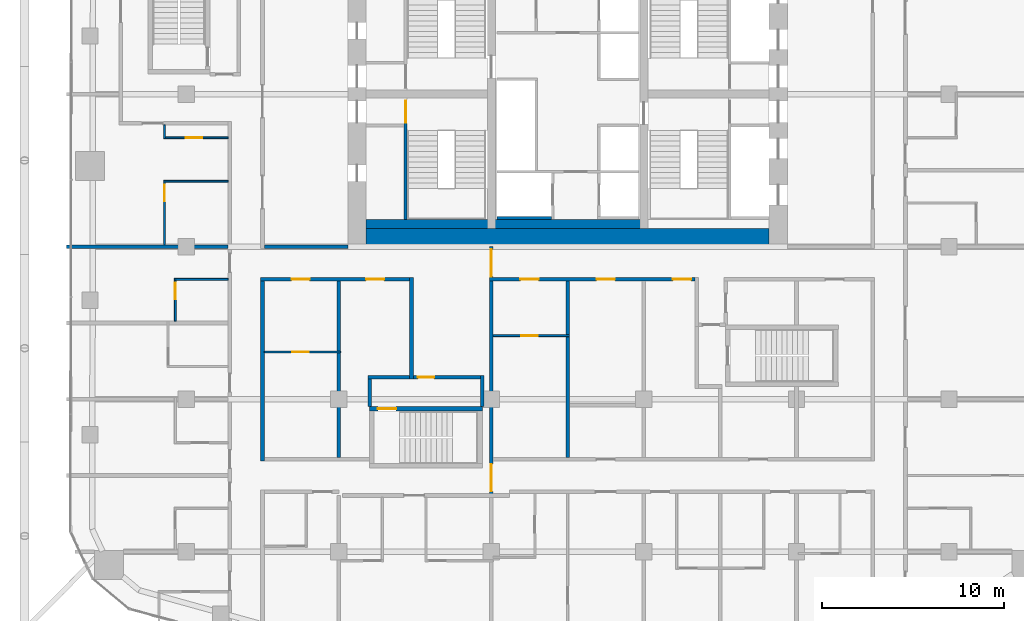
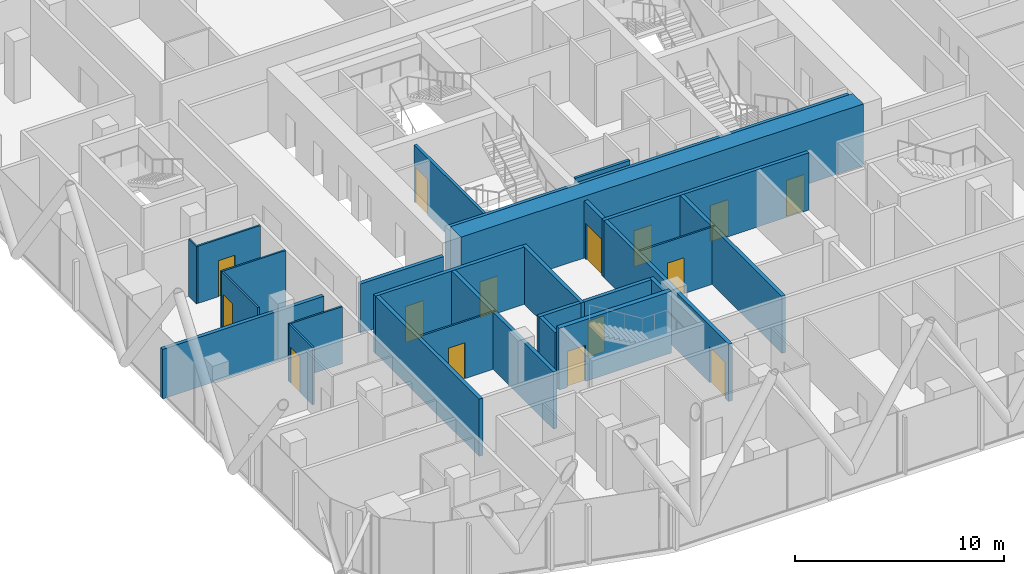
# One storey, part 25 of 33: 26 walls, 15 doors, 15 openings.
"""IFC4 building model written with IfcOpenShell, lengths in metres."""

from ifc_helpers import new_model, si_unit, direction, frame, frame_2d, origin, place, context, subcontext, project, spatial, rectangle, extrude, material, layer, layer_set, type_object, element, fill, save


model = new_model("IFC4")

# Units and contexts
model_context = context("Model", 3, precision=1e-05, world=origin(), true_north=direction((0.0, 1.0)))
body_context = subcontext(model_context, "Body", "Model", "MODEL_VIEW")
ifc_project = project(units=[si_unit("LENGTHUNIT", "METRE"), si_unit("AREAUNIT", "SQUARE_METRE"), si_unit("VOLUMEUNIT", "CUBIC_METRE"), si_unit("PLANEANGLEUNIT", "RADIAN"), si_unit("MASSUNIT", "GRAM", prefix="KILO")], contexts=[model_context])

# Site, building, storey
site_placement = place(None, origin())
site = spatial("IfcSite", under=ifc_project, at=site_placement, CompositionType="ELEMENT")
building_placement = place(site_placement, origin())
building = spatial("IfcBuilding", under=site, at=building_placement, Name="Marenta Gate Hotel Tower", CompositionType="ELEMENT")
storey_placement = place(building_placement, frame((0.0, 0.0, 151.699951171875)))
storey = spatial("IfcBuildingStorey", under=building, at=storey_placement, Name="L35", CompositionType="ELEMENT", Elevation=151.699951171875)

# Wall, openings, doors
ifc_material_1 = material(Name="Concrete blockwork", Category="masonry")
ifc_layer_1 = layer(ifc_material_1, 0.199951171875)
ifc_layer_set_1 = layer_set([ifc_layer_1], Name="Concrete blockwork")
wall_type_1 = type_object("IfcWallType", Name="Compartment wall 200 REI 180", PredefinedType="PARTITIONING", material=ifc_layer_set_1)
wall_1_placement = place(storey_placement, frame((-4.199951171875, -13.800048828125, 0.0), z_axis=(0.0, 0.0, 1.0), x_axis=(0.0, 1.0, 0.0)))
wall_1 = element("IfcWall", 1, at=wall_1_placement, inside=storey, type_object=wall_type_1, Name="L35-PTN-W075", PredefinedType="PARTITIONING", context=body_context, shape_type="SweptSolid", body=[
    extrude(rectangle(XDim=13.800048828125, YDim=0.199951171875, at=frame_2d((6.89990234375, 0.0))), origin(), (0.0, 0.0, 1.0), 3.340087890625),
])
opening_1_placement = place(wall_1_placement, frame((12.14990234375, 0.0, 0.0)))
opening_1 = element("IfcOpeningElement", 2, at=opening_1_placement, cuts=wall_1, Name="Opening G13-FD2", PredefinedType="OPENING", context=body_context, shape_type="SweptSolid", body=[
    extrude(rectangle(XDim=1.5, YDim=2.10009765625, at=frame_2d((0.75, 1.050048828125))), frame((0.0, 0.10009765625, 0.0), z_axis=(0.0, -1.0, 0.0), x_axis=(1.0, 0.0, 0.0)), (0.0, 0.0, 1.0), 0.199951171875),
])
opening_2_placement = place(wall_1_placement, frame((0.324951171875, 0.0, 0.0)))
opening_2 = element("IfcOpeningElement", 3, at=opening_2_placement, cuts=wall_1, Name="Opening G13-FD3", PredefinedType="OPENING", context=body_context, shape_type="SweptSolid", body=[
    extrude(rectangle(XDim=1.5, YDim=2.10009765625, at=frame_2d((0.75, 1.050048828125))), frame((0.0, 0.10009765625, 0.0), z_axis=(0.0, -1.0, 0.0), x_axis=(1.0, 0.0, 0.0)), (0.0, 0.0, 1.0), 0.199951171875),
])
ifc_material_2 = material(Name="Hollow steel door set", Category="steel")
door_type_1 = type_object("IfcDoorType", Name="Compartment fire door 1500x2100 EI 60", OperationType="DOUBLE_DOOR_DOUBLE_SWING", PredefinedType="DOOR", material=ifc_material_2)
door_1_placement = place(opening_1_placement, origin())
door_1 = element("IfcDoor", 4, at=door_1_placement, inside=storey, type_object=door_type_1, Name="L35-PD-FD02", OperationType="DOUBLE_DOOR_DOUBLE_SWING", OverallHeight=2.10009765625, OverallWidth=1.5, PredefinedType="DOOR", context=body_context, shape_type="SweptSolid", body=[
    extrude(rectangle(XDim=1.5, YDim=2.10009765625, at=frame_2d((0.75, 1.050048828125))), frame((0.0, 0.02490234375, 0.0), z_axis=(0.0, -1.0, 0.0), x_axis=(1.0, 0.0, 0.0)), (0.0, 0.0, 1.0), 0.050048828125),
])
fill(opening_1, door_1)
door_2_placement = place(opening_2_placement, origin())
door_2 = element("IfcDoor", 5, at=door_2_placement, inside=storey, type_object=door_type_1, Name="L35-PD-FD03", OperationType="DOUBLE_DOOR_DOUBLE_SWING", OverallHeight=2.10009765625, OverallWidth=1.5, PredefinedType="DOOR", context=body_context, shape_type="SweptSolid", body=[
    extrude(rectangle(XDim=1.5, YDim=2.10009765625, at=frame_2d((0.75, 1.050048828125))), frame((0.0, 0.02490234375, 0.0), z_axis=(0.0, -1.0, 0.0), x_axis=(1.0, 0.0, 0.0)), (0.0, 0.0, 1.0), 0.050048828125),
])
fill(opening_2, door_2)

# Walls
ifc_material_3 = material(Name="Concrete blockwork", Category="masonry")
ifc_layer_2 = layer(ifc_material_3, 0.199951171875)
ifc_layer_set_2 = layer_set([ifc_layer_2], Name="Concrete blockwork")
wall_type_2 = type_object("IfcWallType", Name="Core boundary wall 200 REI 180", PredefinedType="PARTITIONING", material=ifc_layer_set_2)
wall_2_placement = place(storey_placement, frame((-16.699951171875, 0.0, 0.0), z_axis=(0.0, 0.0, 1.0), x_axis=(1.0, 0.0, 0.0)))
element("IfcWall", 6, at=wall_2_placement, inside=storey, type_object=wall_type_2, Name="L35-CP-EW-WS", PredefinedType="PARTITIONING", context=body_context, shape_type="SweptSolid", body=[
    extrude(rectangle(XDim=4.599853515625, YDim=0.199951171875, at=frame_2d((2.2998046875, 0.0))), origin(), (0.0, 0.0, 1.0), 2.89013671875),
])
ifc_material_4 = material(Name="Concrete C40", Category="concrete")
ifc_layer_3 = layer(ifc_material_4, 0.5)
ifc_layer_set_3 = layer_set([ifc_layer_3], Name="Concrete C40")
wall_type_3 = type_object("IfcWallType", Name="Core lining wall 500 REI 180", PredefinedType="PARTITIONING", material=ifc_layer_set_3)
wall_3_placement = place(storey_placement, frame((-11.10009765625, 1.25, 0.0), z_axis=(0.0, 0.0, 1.0), x_axis=(1.0, 0.0, 0.0)))
element("IfcWall", 7, at=wall_3_placement, inside=storey, type_object=wall_type_3, Name="L35-CP-LN-S", PredefinedType="PARTITIONING", context=body_context, shape_type="SweptSolid", body=[
    extrude(rectangle(XDim=22.2001953125, YDim=0.5, at=frame_2d((11.10009765625, 0.0))), origin(), (0.0, 0.0, 1.0), 3.340087890625),
])
ifc_material_5 = material(Name="Concrete C40", Category="concrete")
ifc_layer_4 = layer(ifc_material_5, 0.14990234375)
ifc_layer_set_4 = layer_set([ifc_layer_4], Name="Concrete C40")
wall_type_4 = type_object("IfcWallType", Name="Core shaft wall 150 REI 180", PredefinedType="SHEAR", material=ifc_layer_set_4)
wall_4_placement = place(storey_placement, frame((-3.89990234375, 1.574951171875, 0.0), z_axis=(0.0, 0.0, 1.0), x_axis=(1.0, 0.0, 0.0)))
element("IfcWall", 8, at=wall_4_placement, inside=storey, type_object=wall_type_4, Name="L35-SHF-CW-W-ffs", PredefinedType="SHEAR", context=body_context, shape_type="SweptSolid", body=[
    extrude(rectangle(XDim=3.0, YDim=0.14990234375, at=frame_2d((1.5, 0.0))), origin(), (0.0, 0.0, 1.0), 3.60009765625),
])

# Wall, opening, door
ifc_material_6 = material(Name="Concrete C40", Category="concrete")
ifc_layer_5 = layer(ifc_material_6, 0.14990234375)
ifc_layer_set_5 = layer_set([ifc_layer_5], Name="Concrete C40")
wall_type_5 = type_object("IfcWallType", Name="Core stair enclosure wall 150 REI 180", PredefinedType="SHEAR", material=ifc_layer_set_5)
wall_5_placement = place(storey_placement, frame((-8.925048828125, 1.5, 0.0), z_axis=(0.0, 0.0, 1.0), x_axis=(0.0, 1.0, 0.0)))
wall_5 = element("IfcWall", 9, at=wall_5_placement, inside=storey, type_object=wall_type_5, Name="L35-SHF-SW-WS-3", PredefinedType="SHEAR", context=body_context, shape_type="SweptSolid", body=[
    extrude(rectangle(XDim=6.60009765625, YDim=0.14990234375, at=frame_2d((3.300048828125, 0.0))), origin(), (0.0, 0.0, 1.0), 3.340087890625),
])
opening_3_placement = place(wall_5_placement, frame((5.324951171875, 0.0, 0.0)))
opening_3 = element("IfcOpeningElement", 10, at=opening_3_placement, cuts=wall_5, Name="Opening SD-WS", PredefinedType="OPENING", context=body_context, shape_type="SweptSolid", body=[
    extrude(rectangle(XDim=1.199951171875, YDim=2.10009765625, at=frame_2d((0.60009765625, 1.050048828125))), frame((0.0, 0.074951171875, 0.0), z_axis=(0.0, -1.0, 0.0), x_axis=(1.0, 0.0, 0.0)), (0.0, 0.0, 1.0), 0.14990234375),
])
ifc_material_7 = material(Name="Steel", Category="steel")
door_type_2 = type_object("IfcDoorType", Name="Core stair door 1200x2100 FD60", OperationType="SINGLE_SWING_LEFT", PredefinedType="DOOR", material=ifc_material_7)
door_3_placement = place(opening_3_placement, origin())
door_3 = element("IfcDoor", 11, at=door_3_placement, inside=storey, type_object=door_type_2, Name="SD-WS", OperationType="SINGLE_SWING_LEFT", OverallHeight=2.10009765625, OverallWidth=1.199951171875, PredefinedType="DOOR", context=body_context, shape_type="SweptSolid", body=[
    extrude(rectangle(XDim=1.199951171875, YDim=2.10009765625, at=frame_2d((0.60009765625, 1.050048828125))), frame((0.0, 0.02490234375, 0.0), z_axis=(0.0, -1.0, 0.0), x_axis=(1.0, 0.0, 0.0)), (0.0, 0.0, 1.0), 0.050048828125),
])
fill(opening_3, door_3)

# Wall
ifc_material_8 = material(Name="Concrete C70", Category="concrete")
ifc_layer_6 = layer(ifc_material_8, 1.0)
ifc_layer_set_6 = layer_set([ifc_layer_6], Name="Concrete C70")
wall_type_6 = type_object("IfcWallType", Name="Core wall 1000 C70", PredefinedType="SHEAR", material=ifc_layer_set_6)
wall_6_placement = place(storey_placement, frame((-11.10009765625, 0.5, 0.0), z_axis=(0.0, 0.0, 1.0), x_axis=(1.0, 0.0, 0.0)))
element("IfcWall", 12, at=wall_6_placement, inside=storey, type_object=wall_type_6, Name="L35-CORE-S", PredefinedType="SHEAR", context=body_context, shape_type="SweptSolid", body=[
    extrude(rectangle(XDim=22.2001953125, YDim=1.0, at=frame_2d((11.10009765625, 0.0))), origin(), (0.0, 0.0, 1.0), 3.60009765625),
])

# Wall, opening, door
ifc_material_9 = material(Name="Concrete C40", Category="concrete")
ifc_layer_7 = layer(ifc_material_9, 0.25)
ifc_layer_set_7 = layer_set([ifc_layer_7], Name="Concrete C40")
wall_type_7 = type_object("IfcWallType", Name="Remote stair enclosure wall 250 REI 180", PredefinedType="SHEAR", material=ifc_layer_set_7)
wall_7_placement = place(storey_placement, frame((-10.89990234375, -8.925048828125, 0.10009765625), z_axis=(0.0, 0.0, 1.0), x_axis=(1.0, 0.0, 0.0)))
wall_7 = element("IfcWall", 13, at=wall_7_placement, inside=storey, type_object=wall_type_7, Name="L35-RS-Z2-1-W2", PredefinedType="SHEAR", context=body_context, shape_type="SweptSolid", body=[
    extrude(rectangle(XDim=6.199951171875, YDim=0.25, at=frame_2d((3.10009765625, 0.0))), origin(), (0.0, 0.0, 1.0), 3.599853515625),
])
opening_4_placement = place(wall_7_placement, frame((0.449951171875, 0.0, 0.0)))
opening_4 = element("IfcOpeningElement", 14, at=opening_4_placement, cuts=wall_7, Name="Opening VD", PredefinedType="OPENING", context=body_context, shape_type="SweptSolid", body=[
    extrude(rectangle(XDim=1.0, YDim=2.10009765625, at=frame_2d((0.5, 1.050048828125))), frame((0.0, 0.125, 0.0), z_axis=(0.0, -1.0, 0.0), x_axis=(1.0, 0.0, 0.0)), (0.0, 0.0, 1.0), 0.25),
])
ifc_material_10 = material(Name="Steel", Category="steel")
door_type_3 = type_object("IfcDoorType", Name="Stair vestibule door 1000x2100 FD60", OperationType="SINGLE_SWING_LEFT", PredefinedType="DOOR", material=ifc_material_10)
door_4_placement = place(opening_4_placement, origin())
door_4 = element("IfcDoor", 15, at=door_4_placement, inside=storey, type_object=door_type_3, Name="VD", OperationType="SINGLE_SWING_LEFT", OverallHeight=2.10009765625, OverallWidth=1.0, PredefinedType="DOOR", context=body_context, shape_type="SweptSolid", body=[
    extrude(rectangle(XDim=1.0, YDim=2.10009765625, at=frame_2d((0.5, 1.050048828125))), frame((0.0, 0.02490234375, 0.0), z_axis=(0.0, -1.0, 0.0), x_axis=(1.0, 0.0, 0.0)), (0.0, 0.0, 1.0), 0.050048828125),
])
fill(opening_4, door_4)

# Wall, openings, doors
ifc_material_11 = material(Name="Concrete blockwork", Category="masonry")
ifc_layer_8 = layer(ifc_material_11, 0.199951171875)
ifc_layer_set_8 = layer_set([ifc_layer_8], Name="Concrete blockwork")
wall_type_8 = type_object("IfcWallType", Name="Room corridor wall 200 EI 120", PredefinedType="PARTITIONING", material=ifc_layer_set_8)
wall_8_placement = place(storey_placement, frame((-4.300048828125, -1.800048828125, 0.0), z_axis=(0.0, 0.0, 1.0), x_axis=(1.0, 0.0, 0.0)))
wall_8 = element("IfcWall", 16, at=wall_8_placement, inside=storey, type_object=wall_type_8, Name="L35-PTN-W063", PredefinedType="PARTITIONING", context=body_context, shape_type="SweptSolid", body=[
    extrude(rectangle(XDim=11.300048828125, YDim=0.199951171875, at=frame_2d((5.64990234375, 0.0))), origin(), (0.0, 0.0, 1.0), 3.340087890625),
])
opening_5_placement = place(wall_8_placement, frame((1.699951171875, 0.0, 0.0)))
opening_5 = element("IfcOpeningElement", 17, at=opening_5_placement, cuts=wall_8, Name="Opening G13-04", PredefinedType="OPENING", context=body_context, shape_type="SweptSolid", body=[
    extrude(rectangle(XDim=1.0, YDim=2.10009765625, at=frame_2d((0.5, 1.050048828125))), frame((0.0, 0.10009765625, 0.0), z_axis=(0.0, -1.0, 0.0), x_axis=(1.0, 0.0, 0.0)), (0.0, 0.0, 1.0), 0.199951171875),
])
opening_6_placement = place(wall_8_placement, frame((10.10009765625, 0.0, 0.0)))
opening_6 = element("IfcOpeningElement", 18, at=opening_6_placement, cuts=wall_8, Name="Opening G13-06", PredefinedType="OPENING", context=body_context, shape_type="SweptSolid", body=[
    extrude(rectangle(XDim=1.0, YDim=2.10009765625, at=frame_2d((0.5, 1.050048828125))), frame((0.0, 0.10009765625, 0.0), z_axis=(0.0, -1.0, 0.0), x_axis=(1.0, 0.0, 0.0)), (0.0, 0.0, 1.0), 0.199951171875),
])
opening_7_placement = place(wall_8_placement, frame((5.89990234375, 0.0, 0.0)))
opening_7 = element("IfcOpeningElement", 19, at=opening_7_placement, cuts=wall_8, Name="Opening G13-68", PredefinedType="OPENING", context=body_context, shape_type="SweptSolid", body=[
    extrude(rectangle(XDim=1.0, YDim=2.10009765625, at=frame_2d((0.5, 1.050048828125))), frame((0.0, 0.10009765625, 0.0), z_axis=(0.0, -1.0, 0.0), x_axis=(1.0, 0.0, 0.0)), (0.0, 0.0, 1.0), 0.199951171875),
])
ifc_material_12 = material(Name="Timber door leaf", Category="wood")
door_type_4 = type_object("IfcDoorType", Name="Room amenity door 1000x2100 EI 60", OperationType="NOTDEFINED", PredefinedType="DOOR", material=ifc_material_12)
door_5_placement = place(opening_6_placement, origin())
door_5 = element("IfcDoor", 20, at=door_5_placement, inside=storey, type_object=door_type_4, Name="L35-PD-D006", OperationType="SINGLE_SWING_LEFT", OverallHeight=2.10009765625, OverallWidth=1.0, PredefinedType="DOOR", context=body_context, shape_type="SweptSolid", body=[
    extrude(rectangle(XDim=1.0, YDim=2.10009765625, at=frame_2d((0.5, 1.050048828125))), frame((0.0, 0.02490234375, 0.0), z_axis=(0.0, -1.0, 0.0), x_axis=(1.0, 0.0, 0.0)), (0.0, 0.0, 1.0), 0.050048828125),
])
fill(opening_6, door_5)
door_6_placement = place(opening_7_placement, origin())
door_6 = element("IfcDoor", 21, at=door_6_placement, inside=storey, type_object=door_type_4, Name="L35-PD-D068", OperationType="SINGLE_SWING_RIGHT", OverallHeight=2.10009765625, OverallWidth=1.0, PredefinedType="DOOR", context=body_context, shape_type="SweptSolid", body=[
    extrude(rectangle(XDim=1.0, YDim=2.10009765625, at=frame_2d((0.5, 1.050048828125))), frame((0.0, 0.02490234375, 0.0), z_axis=(0.0, -1.0, 0.0), x_axis=(1.0, 0.0, 0.0)), (0.0, 0.0, 1.0), 0.050048828125),
])
fill(opening_7, door_6)
ifc_material_13 = material(Name="Hollow steel door set", Category="steel")
door_type_5 = type_object("IfcDoorType", Name="Room service door 1000x2100 EI 60", OperationType="NOTDEFINED", PredefinedType="DOOR", material=ifc_material_13)
door_7_placement = place(opening_5_placement, origin())
door_7 = element("IfcDoor", 22, at=door_7_placement, inside=storey, type_object=door_type_5, Name="L35-PD-D004", OperationType="SINGLE_SWING_RIGHT", OverallHeight=2.10009765625, OverallWidth=1.0, PredefinedType="DOOR", context=body_context, shape_type="SweptSolid", body=[
    extrude(rectangle(XDim=1.0, YDim=2.10009765625, at=frame_2d((0.5, 1.050048828125))), frame((0.0, 0.02490234375, 0.0), z_axis=(0.0, -1.0, 0.0), x_axis=(1.0, 0.0, 0.0)), (0.0, 0.0, 1.0), 0.050048828125),
])
fill(opening_5, door_7)

ifc_material_14 = material(Name="Gypsum board on steel stud", Category="steel")
ifc_layer_9 = layer(ifc_material_14, 0.199951171875)
ifc_layer_set_9 = layer_set([ifc_layer_9], Name="Gypsum board on steel stud")
wall_type_9 = type_object("IfcWallType", Name="Room corridor wall 200 EI 60", PredefinedType="PARTITIONING", material=ifc_layer_set_9)
wall_9_placement = place(storey_placement, frame((-16.89990234375, -1.800048828125, 0.0), z_axis=(0.0, 0.0, 1.0), x_axis=(1.0, 0.0, 0.0)))
wall_9 = element("IfcWall", 23, at=wall_9_placement, inside=storey, type_object=wall_type_9, Name="L35-PTN-W062", PredefinedType="PARTITIONING", context=body_context, shape_type="SweptSolid", body=[
    extrude(rectangle(XDim=8.199951171875, YDim=0.199951171875, at=frame_2d((4.10009765625, 0.0))), origin(), (0.0, 0.0, 1.0), 3.340087890625),
])
opening_8_placement = place(wall_9_placement, frame((1.699951171875, 0.0, 0.0)))
opening_8 = element("IfcOpeningElement", 24, at=opening_8_placement, cuts=wall_9, Name="Opening G13-01", PredefinedType="OPENING", context=body_context, shape_type="SweptSolid", body=[
    extrude(rectangle(XDim=1.0, YDim=2.10009765625, at=frame_2d((0.5, 1.050048828125))), frame((0.0, 0.10009765625, 0.0), z_axis=(0.0, -1.0, 0.0), x_axis=(1.0, 0.0, 0.0)), (0.0, 0.0, 1.0), 0.199951171875),
])
opening_9_placement = place(wall_9_placement, frame((5.800048828125, 0.0, 0.0)))
opening_9 = element("IfcOpeningElement", 25, at=opening_9_placement, cuts=wall_9, Name="Opening G13-03", PredefinedType="OPENING", context=body_context, shape_type="SweptSolid", body=[
    extrude(rectangle(XDim=1.0, YDim=2.10009765625, at=frame_2d((0.5, 1.050048828125))), frame((0.0, 0.10009765625, 0.0), z_axis=(0.0, -1.0, 0.0), x_axis=(1.0, 0.0, 0.0)), (0.0, 0.0, 1.0), 0.199951171875),
])
ifc_material_15 = material(Name="Timber door leaf", Category="wood")
door_type_6 = type_object("IfcDoorType", Name="Room amenity door 1000x2100 EI 30", OperationType="NOTDEFINED", PredefinedType="DOOR", material=ifc_material_15)
door_8_placement = place(opening_9_placement, origin())
door_8 = element("IfcDoor", 26, at=door_8_placement, inside=storey, type_object=door_type_6, Name="L35-PD-D003", OperationType="SINGLE_SWING_LEFT", OverallHeight=2.10009765625, OverallWidth=1.0, PredefinedType="DOOR", context=body_context, shape_type="SweptSolid", body=[
    extrude(rectangle(XDim=1.0, YDim=2.10009765625, at=frame_2d((0.5, 1.050048828125))), frame((0.0, 0.02490234375, 0.0), z_axis=(0.0, -1.0, 0.0), x_axis=(1.0, 0.0, 0.0)), (0.0, 0.0, 1.0), 0.050048828125),
])
fill(opening_9, door_8)
ifc_material_16 = material(Name="Hollow steel door set", Category="steel")
door_type_7 = type_object("IfcDoorType", Name="Room service door 1000x2100 EI 30", OperationType="NOTDEFINED", PredefinedType="DOOR", material=ifc_material_16)
door_9_placement = place(opening_8_placement, origin())
door_9 = element("IfcDoor", 27, at=door_9_placement, inside=storey, type_object=door_type_7, Name="L35-PD-D001", OperationType="SINGLE_SWING_LEFT", OverallHeight=2.10009765625, OverallWidth=1.0, PredefinedType="DOOR", context=body_context, shape_type="SweptSolid", body=[
    extrude(rectangle(XDim=1.0, YDim=2.10009765625, at=frame_2d((0.5, 1.050048828125))), frame((0.0, 0.02490234375, 0.0), z_axis=(0.0, -1.0, 0.0), x_axis=(1.0, 0.0, 0.0)), (0.0, 0.0, 1.0), 0.050048828125),
])
fill(opening_8, door_9)

# Walls
wall_10_placement = place(storey_placement, frame((-8.60009765625, -7.300048828125, 0.0), z_axis=(0.0, 0.0, 1.0), x_axis=(0.0, 1.0, 0.0)))
element("IfcWall", 28, at=wall_10_placement, inside=storey, type_object=wall_type_9, Name="L35-PTN-W084", PredefinedType="PARTITIONING", context=body_context, shape_type="SweptSolid", body=[
    extrude(rectangle(XDim=5.60009765625, YDim=0.199951171875, at=frame_2d((2.800048828125, 0.0))), origin(), (0.0, 0.0, 1.0), 3.340087890625),
])
wall_11_placement = place(storey_placement, frame((-16.800048828125, -11.800048828125, 0.0), z_axis=(0.0, 0.0, 1.0), x_axis=(0.0, 1.0, 0.0)))
element("IfcWall", 29, at=wall_11_placement, inside=storey, type_object=wall_type_9, Name="L35-PTN-W095", PredefinedType="PARTITIONING", context=body_context, shape_type="SweptSolid", body=[
    extrude(rectangle(XDim=9.900146484375, YDim=0.199951171875, at=frame_2d((4.9501953125, 0.0))), origin(), (0.0, 0.0, 1.0), 3.340087890625),
])

# Wall, opening, door
ifc_material_17 = material(Name="Concrete blockwork", Category="masonry")
ifc_layer_10 = layer(ifc_material_17, 0.199951171875)
ifc_layer_set_10 = layer_set([ifc_layer_10], Name="Concrete blockwork")
wall_type_10 = type_object("IfcWallType", Name="Room corridor wall 200 REI 180", PredefinedType="PARTITIONING", material=ifc_layer_set_10)
wall_12_placement = place(storey_placement, frame((-8.5, -7.199951171875, 0.0), z_axis=(0.0, 0.0, 1.0), x_axis=(1.0, 0.0, 0.0)))
wall_12 = element("IfcWall", 30, at=wall_12_placement, inside=storey, type_object=wall_type_10, Name="L35-PTN-W048", PredefinedType="PARTITIONING", context=body_context, shape_type="SweptSolid", body=[
    extrude(rectangle(XDim=3.699951171875, YDim=0.199951171875, at=frame_2d((1.85009765625, 0.0))), origin(), (0.0, 0.0, 1.0), 3.340087890625),
])
opening_10_placement = place(wall_12_placement, frame((0.25, 0.0, 0.0)))
opening_10 = element("IfcOpeningElement", 31, at=opening_10_placement, cuts=wall_12, Name="Opening G13-59", PredefinedType="OPENING", context=body_context, shape_type="SweptSolid", body=[
    extrude(rectangle(XDim=0.89990234375, YDim=2.10009765625, at=frame_2d((0.449951171875, 1.050048828125))), frame((0.0, 0.10009765625, 0.0), z_axis=(0.0, -1.0, 0.0), x_axis=(1.0, 0.0, 0.0)), (0.0, 0.0, 1.0), 0.199951171875),
])
ifc_material_18 = material(Name="Hollow steel door set", Category="steel")
door_type_8 = type_object("IfcDoorType", Name="Stair vestibule door 900x2100 EI 60", OperationType="NOTDEFINED", PredefinedType="DOOR", material=ifc_material_18)
door_10_placement = place(opening_10_placement, origin())
door_10 = element("IfcDoor", 32, at=door_10_placement, inside=storey, type_object=door_type_8, Name="L35-PD-D059", OperationType="SINGLE_SWING_RIGHT", OverallHeight=2.10009765625, OverallWidth=0.89990234375, PredefinedType="DOOR", context=body_context, shape_type="SweptSolid", body=[
    extrude(rectangle(XDim=0.89990234375, YDim=2.10009765625, at=frame_2d((0.449951171875, 1.050048828125))), frame((0.0, 0.02490234375, 0.0), z_axis=(0.0, -1.0, 0.0), x_axis=(1.0, 0.0, 0.0)), (0.0, 0.0, 1.0), 0.050048828125),
])
fill(opening_10, door_10)

# Wall
wall_13_placement = place(storey_placement, frame((-4.699951171875, -8.800048828125, 0.0), z_axis=(0.0, 0.0, 1.0), x_axis=(0.0, 1.0, 0.0)))
element("IfcWall", 33, at=wall_13_placement, inside=storey, type_object=wall_type_10, Name="L35-PTN-W077", PredefinedType="PARTITIONING", context=body_context, shape_type="SweptSolid", body=[
    extrude(rectangle(XDim=1.699951171875, YDim=0.199951171875, at=frame_2d((0.85009765625, 0.0))), origin(), (0.0, 0.0, 1.0), 3.340087890625),
])

# Wall, opening, door
ifc_material_19 = material(Name="Gypsum board on steel stud", Category="steel")
ifc_layer_11 = layer(ifc_material_19, 0.10009765625)
ifc_layer_set_11 = layer_set([ifc_layer_11], Name="Gypsum board on steel stud")
wall_type_11 = type_object("IfcWallType", Name="Room partition 100", PredefinedType="PARTITIONING", material=ifc_layer_set_11)
wall_14_placement = place(storey_placement, frame((-16.699951171875, -5.800048828125, 0.0), z_axis=(0.0, 0.0, 1.0), x_axis=(1.0, 0.0, 0.0)))
wall_14 = element("IfcWall", 34, at=wall_14_placement, inside=storey, type_object=wall_type_11, Name="L35-PTN-W053", PredefinedType="PARTITIONING", context=body_context, shape_type="SweptSolid", body=[
    extrude(rectangle(XDim=4.199951171875, YDim=0.10009765625, at=frame_2d((2.10009765625, 0.0))), origin(), (0.0, 0.0, 1.0), 3.340087890625),
])
opening_11_placement = place(wall_14_placement, frame((1.550048828125, 0.0, 0.0)))
opening_11 = element("IfcOpeningElement", 35, at=opening_11_placement, cuts=wall_14, Name="Opening G13-02", PredefinedType="OPENING", context=body_context, shape_type="SweptSolid", body=[
    extrude(rectangle(XDim=0.89990234375, YDim=2.10009765625, at=frame_2d((0.449951171875, 1.050048828125))), frame((0.0, 0.050048828125, 0.0), z_axis=(0.0, -1.0, 0.0), x_axis=(1.0, 0.0, 0.0)), (0.0, 0.0, 1.0), 0.10009765625),
])
ifc_material_20 = material(Name="Timber door leaf", Category="wood")
door_type_9 = type_object("IfcDoorType", Name="Room inner door 900x2100", OperationType="NOTDEFINED", PredefinedType="DOOR", material=ifc_material_20)
door_11_placement = place(opening_11_placement, origin())
door_11 = element("IfcDoor", 36, at=door_11_placement, inside=storey, type_object=door_type_9, Name="L35-PD-D002", OperationType="SINGLE_SWING_RIGHT", OverallHeight=2.10009765625, OverallWidth=0.89990234375, PredefinedType="DOOR", context=body_context, shape_type="SweptSolid", body=[
    extrude(rectangle(XDim=0.89990234375, YDim=2.10009765625, at=frame_2d((0.449951171875, 1.050048828125))), frame((0.0, 0.02490234375, 0.0), z_axis=(0.0, -1.0, 0.0), x_axis=(1.0, 0.0, 0.0)), (0.0, 0.0, 1.0), 0.050048828125),
])
fill(opening_11, door_11)

wall_15_placement = place(storey_placement, frame((-4.10009765625, -4.89990234375, 0.0), z_axis=(0.0, 0.0, 1.0), x_axis=(1.0, 0.0, 0.0)))
wall_15 = element("IfcWall", 37, at=wall_15_placement, inside=storey, type_object=wall_type_11, Name="L35-PTN-W054", PredefinedType="PARTITIONING", context=body_context, shape_type="SweptSolid", body=[
    extrude(rectangle(XDim=4.2001953125, YDim=0.10009765625, at=frame_2d((2.10009765625, 0.0))), origin(), (0.0, 0.0, 1.0), 3.340087890625),
])
opening_12_placement = place(wall_15_placement, frame((1.550048828125, 0.0, 0.0)))
opening_12 = element("IfcOpeningElement", 38, at=opening_12_placement, cuts=wall_15, Name="Opening G13-05", PredefinedType="OPENING", context=body_context, shape_type="SweptSolid", body=[
    extrude(rectangle(XDim=0.89990234375, YDim=2.10009765625, at=frame_2d((0.449951171875, 1.050048828125))), frame((0.0, 0.050048828125, 0.0), z_axis=(0.0, -1.0, 0.0), x_axis=(1.0, 0.0, 0.0)), (0.0, 0.0, 1.0), 0.10009765625),
])
door_12_placement = place(opening_12_placement, origin())
door_12 = element("IfcDoor", 39, at=door_12_placement, inside=storey, type_object=door_type_9, Name="L35-PD-D005", OperationType="SINGLE_SWING_LEFT", OverallHeight=2.10009765625, OverallWidth=0.89990234375, PredefinedType="DOOR", context=body_context, shape_type="SweptSolid", body=[
    extrude(rectangle(XDim=0.89990234375, YDim=2.10009765625, at=frame_2d((0.449951171875, 1.050048828125))), frame((0.0, 0.02490234375, 0.0), z_axis=(0.0, -1.0, 0.0), x_axis=(1.0, 0.0, 0.0)), (0.0, 0.0, 1.0), 0.050048828125),
])
fill(opening_12, door_12)

# Walls
wall_16_placement = place(storey_placement, frame((-21.64990234375, -1.800048828125, 0.0), z_axis=(0.0, 0.0, 1.0), x_axis=(1.0, 0.0, 0.0)))
element("IfcWall", 40, at=wall_16_placement, inside=storey, type_object=wall_type_11, Name="L35-PTN-W061", PredefinedType="PARTITIONING", context=body_context, shape_type="SweptSolid", body=[
    extrude(rectangle(XDim=2.949951171875, YDim=0.10009765625, at=frame_2d((1.47509765625, 0.0))), origin(), (0.0, 0.0, 1.0), 3.340087890625),
])
wall_17_placement = place(storey_placement, frame((-22.25, 3.60009765625, 0.0), z_axis=(0.0, 0.0, 1.0), x_axis=(1.0, 0.0, 0.0)))
element("IfcWall", 41, at=wall_17_placement, inside=storey, type_object=wall_type_11, Name="L35-PTN-W072", PredefinedType="PARTITIONING", context=body_context, shape_type="SweptSolid", body=[
    extrude(rectangle(XDim=3.550048828125, YDim=0.10009765625, at=frame_2d((1.77490234375, 0.0))), origin(), (0.0, 0.0, 1.0), 3.340087890625),
])

# Wall, opening, door
wall_18_placement = place(storey_placement, frame((-22.14990234375, 6.0, 0.0), z_axis=(0.0, 0.0, 1.0), x_axis=(1.0, 0.0, 0.0)))
wall_18 = element("IfcWall", 42, at=wall_18_placement, inside=storey, type_object=wall_type_11, Name="L35-PTN-W078", PredefinedType="PARTITIONING", context=body_context, shape_type="SweptSolid", body=[
    extrude(rectangle(XDim=3.449951171875, YDim=0.10009765625, at=frame_2d((1.72509765625, 0.0))), origin(), (0.0, 0.0, 1.0), 3.340087890625),
])
opening_13_placement = place(wall_18_placement, frame((1.1201171875, 0.0, 0.0)))
opening_13 = element("IfcOpeningElement", 43, at=opening_13_placement, cuts=wall_18, Name="Opening G13-55", PredefinedType="OPENING", context=body_context, shape_type="SweptSolid", body=[
    extrude(rectangle(XDim=0.89990234375, YDim=2.10009765625, at=frame_2d((0.449951171875, 1.050048828125))), frame((0.0, 0.050048828125, 0.0), z_axis=(0.0, -1.0, 0.0), x_axis=(1.0, 0.0, 0.0)), (0.0, 0.0, 1.0), 0.10009765625),
])
door_13_placement = place(opening_13_placement, origin())
door_13 = element("IfcDoor", 44, at=door_13_placement, inside=storey, type_object=door_type_9, Name="L35-PD-D055", OperationType="SINGLE_SWING_RIGHT", OverallHeight=2.10009765625, OverallWidth=0.89990234375, PredefinedType="DOOR", context=body_context, shape_type="SweptSolid", body=[
    extrude(rectangle(XDim=0.89990234375, YDim=2.10009765625, at=frame_2d((0.449951171875, 1.050048828125))), frame((0.0, 0.02490234375, 0.0), z_axis=(0.0, -1.0, 0.0), x_axis=(1.0, 0.0, 0.0)), (0.0, 0.0, 1.0), 0.050048828125),
])
fill(opening_13, door_13)

wall_19_placement = place(storey_placement, frame((-21.60009765625, -4.10009765625, 0.0), z_axis=(0.0, 0.0, 1.0), x_axis=(0.0, 1.0, 0.0)))
wall_19 = element("IfcWall", 45, at=wall_19_placement, inside=storey, type_object=wall_type_11, Name="L35-PTN-W109", PredefinedType="PARTITIONING", context=body_context, shape_type="SweptSolid", body=[
    extrude(rectangle(XDim=2.25, YDim=0.10009765625, at=frame_2d((1.125, 0.0))), origin(), (0.0, 0.0, 1.0), 3.340087890625),
])
opening_14_placement = place(wall_19_placement, frame((1.199951171875, 0.0, 0.0)))
opening_14 = element("IfcOpeningElement", 46, at=opening_14_placement, cuts=wall_19, Name="Opening G13-52", PredefinedType="OPENING", context=body_context, shape_type="SweptSolid", body=[
    extrude(rectangle(XDim=0.89990234375, YDim=2.10009765625, at=frame_2d((0.449951171875, 1.050048828125))), frame((0.0, 0.050048828125, 0.0), z_axis=(0.0, -1.0, 0.0), x_axis=(1.0, 0.0, 0.0)), (0.0, 0.0, 1.0), 0.10009765625),
])
ifc_material_21 = material(Name="Timber door leaf", Category="wood")
door_type_10 = type_object("IfcDoorType", Name="Guest bathroom door 900x2100", OperationType="NOTDEFINED", PredefinedType="DOOR", material=ifc_material_21)
door_14_placement = place(opening_14_placement, origin())
door_14 = element("IfcDoor", 47, at=door_14_placement, inside=storey, type_object=door_type_10, Name="L35-PD-D052", OperationType="SINGLE_SWING_LEFT", OverallHeight=2.10009765625, OverallWidth=0.89990234375, PredefinedType="DOOR", context=body_context, shape_type="SweptSolid", body=[
    extrude(rectangle(XDim=0.89990234375, YDim=2.10009765625, at=frame_2d((0.449951171875, 1.050048828125))), frame((0.0, 0.02490234375, 0.0), z_axis=(0.0, -1.0, 0.0), x_axis=(1.0, 0.0, 0.0)), (0.0, 0.0, 1.0), 0.050048828125),
])
fill(opening_14, door_14)

wall_20_placement = place(storey_placement, frame((-22.199951171875, 0.10009765625, 0.0), z_axis=(0.0, 0.0, 1.0), x_axis=(0.0, 1.0, 0.0)))
wall_20 = element("IfcWall", 48, at=wall_20_placement, inside=storey, type_object=wall_type_11, Name="L35-PTN-W112", PredefinedType="PARTITIONING", context=body_context, shape_type="SweptSolid", body=[
    extrude(rectangle(XDim=3.449951171875, YDim=0.10009765625, at=frame_2d((1.72509765625, 0.0))), origin(), (0.0, 0.0, 1.0), 3.340087890625),
])
opening_15_placement = place(wall_20_placement, frame((2.39990234375, 0.0, 0.0)))
opening_15 = element("IfcOpeningElement", 49, at=opening_15_placement, cuts=wall_20, Name="Opening G13-54", PredefinedType="OPENING", context=body_context, shape_type="SweptSolid", body=[
    extrude(rectangle(XDim=0.89990234375, YDim=2.10009765625, at=frame_2d((0.449951171875, 1.050048828125))), frame((0.0, 0.050048828125, 0.0), z_axis=(0.0, -1.0, 0.0), x_axis=(1.0, 0.0, 0.0)), (0.0, 0.0, 1.0), 0.10009765625),
])
door_15_placement = place(opening_15_placement, origin())
door_15 = element("IfcDoor", 50, at=door_15_placement, inside=storey, type_object=door_type_10, Name="L35-PD-D054", OperationType="SINGLE_SWING_LEFT", OverallHeight=2.10009765625, OverallWidth=0.89990234375, PredefinedType="DOOR", context=body_context, shape_type="SweptSolid", body=[
    extrude(rectangle(XDim=0.89990234375, YDim=2.10009765625, at=frame_2d((0.449951171875, 1.050048828125))), frame((0.0, 0.02490234375, 0.0), z_axis=(0.0, -1.0, 0.0), x_axis=(1.0, 0.0, 0.0)), (0.0, 0.0, 1.0), 0.050048828125),
])
fill(opening_15, door_15)

# Walls
wall_21_placement = place(storey_placement, frame((-22.199951171875, 5.949951171875, 0.0), z_axis=(0.0, 0.0, 1.0), x_axis=(0.0, 1.0, 0.0)))
element("IfcWall", 51, at=wall_21_placement, inside=storey, type_object=wall_type_11, Name="L35-PTN-W113", PredefinedType="PARTITIONING", context=body_context, shape_type="SweptSolid", body=[
    extrude(rectangle(XDim=0.75, YDim=0.10009765625, at=frame_2d((0.375, 0.0))), origin(), (0.0, 0.0, 1.0), 3.340087890625),
])
ifc_material_22 = material(Name="Concrete blockwork", Category="masonry")
ifc_layer_12 = layer(ifc_material_22, 0.199951171875)
ifc_layer_set_12 = layer_set([ifc_layer_12], Name="Concrete blockwork")
wall_type_12 = type_object("IfcWallType", Name="Room party wall 200 EI 120", PredefinedType="PARTITIONING", material=ifc_layer_set_12)
wall_22_placement = place(storey_placement, frame((0.0, -11.60009765625, 0.0), z_axis=(0.0, 0.0, 1.0), x_axis=(0.0, 1.0, 0.0)))
element("IfcWall", 52, at=wall_22_placement, inside=storey, type_object=wall_type_12, Name="L35-PTN-W067", PredefinedType="PARTITIONING", context=body_context, shape_type="SweptSolid", body=[
    extrude(rectangle(XDim=9.7001953125, YDim=0.199951171875, at=frame_2d((4.85009765625, 0.0))), origin(), (0.0, 0.0, 1.0), 3.340087890625),
])
ifc_material_23 = material(Name="Gypsum board on steel stud", Category="steel")
ifc_layer_13 = layer(ifc_material_23, 0.199951171875)
ifc_layer_set_13 = layer_set([ifc_layer_13], Name="Gypsum board on steel stud")
wall_type_13 = type_object("IfcWallType", Name="Room party wall 200 EI 60", PredefinedType="PARTITIONING", material=ifc_layer_set_13)
wall_23_placement = place(storey_placement, frame((-27.60009765625, 0.0, 0.0), z_axis=(0.0, 0.0, 1.0), x_axis=(1.0, 0.0, 0.0)))
element("IfcWall", 53, at=wall_23_placement, inside=storey, type_object=wall_type_13, Name="L35-PTN-W068", PredefinedType="PARTITIONING", context=body_context, shape_type="SweptSolid", body=[
    extrude(rectangle(XDim=8.900146484375, YDim=0.199951171875, at=frame_2d((4.4501953125, 0.0))), origin(), (0.0, 0.0, 1.0), 2.89013671875),
])
wall_24_placement = place(storey_placement, frame((-12.60009765625, -11.60009765625, 0.0), z_axis=(0.0, 0.0, 1.0), x_axis=(0.0, 1.0, 0.0)))
element("IfcWall", 54, at=wall_24_placement, inside=storey, type_object=wall_type_13, Name="L35-PTN-W089", PredefinedType="PARTITIONING", context=body_context, shape_type="SweptSolid", body=[
    extrude(rectangle(XDim=9.7001953125, YDim=0.199951171875, at=frame_2d((4.85009765625, 0.0))), origin(), (0.0, 0.0, 1.0), 3.340087890625),
])
ifc_material_24 = material(Name="Concrete blockwork", Category="masonry")
ifc_layer_14 = layer(ifc_material_24, 0.199951171875)
ifc_layer_set_14 = layer_set([ifc_layer_14], Name="Concrete blockwork")
wall_type_14 = type_object("IfcWallType", Name="Room party wall 200 REI 180", PredefinedType="PARTITIONING", material=ifc_layer_set_14)
wall_25_placement = place(storey_placement, frame((-11.0, -7.199951171875, 0.0), z_axis=(0.0, 0.0, 1.0), x_axis=(1.0, 0.0, 0.0)))
element("IfcWall", 55, at=wall_25_placement, inside=storey, type_object=wall_type_14, Name="L35-PTN-W047", PredefinedType="PARTITIONING", context=body_context, shape_type="SweptSolid", body=[
    extrude(rectangle(XDim=2.300048828125, YDim=0.199951171875, at=frame_2d((1.14990234375, 0.0))), origin(), (0.0, 0.0, 1.0), 3.340087890625),
])
wall_26_placement = place(storey_placement, frame((-10.89990234375, -8.800048828125, 0.0), z_axis=(0.0, 0.0, 1.0), x_axis=(0.0, 1.0, 0.0)))
element("IfcWall", 56, at=wall_26_placement, inside=storey, type_object=wall_type_14, Name="L35-PTN-W087", PredefinedType="PARTITIONING", context=body_context, shape_type="SweptSolid", body=[
    extrude(rectangle(XDim=1.5, YDim=0.199951171875, at=frame_2d((0.75, 0.0))), origin(), (0.0, 0.0, 1.0), 3.340087890625),
])

save(model, "model.ifc")
